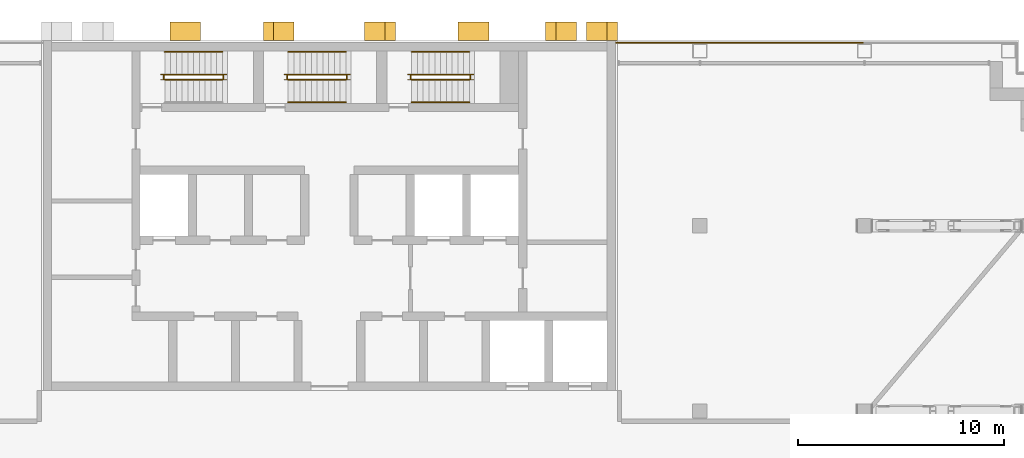
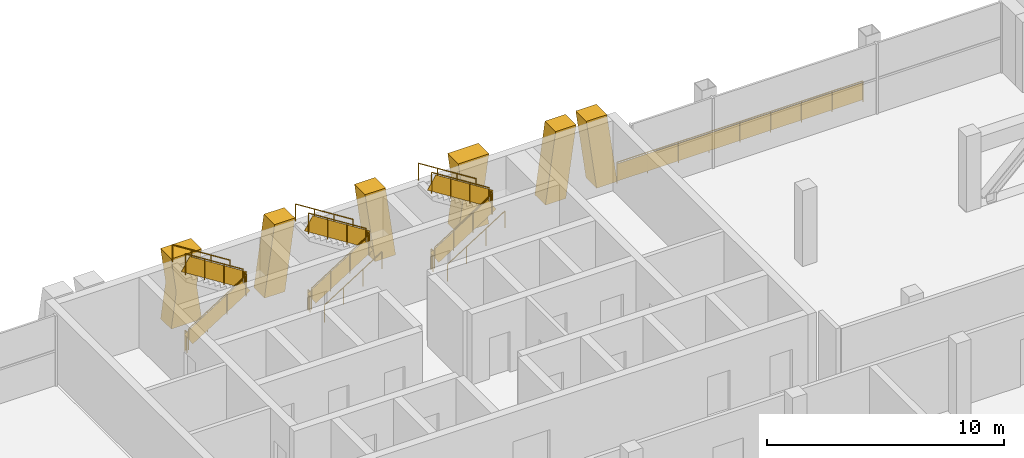
# One storey, part 20 of 21: 18 railings, 6 shading devices.
"""IFC4 building model written with IfcOpenShell, lengths in metres."""

from ifc_helpers import new_model, si_unit, direction, frame, origin, origin_2d, place, context, subcontext, project, spatial, polyline, rectangle, circle, outline, extrude, material, layer, layer_set, type_object, element, save


model = new_model("IFC4")

# Units and contexts
model_context = context("Model", 3, precision=1e-05, world=origin(), true_north=direction((0.0, 1.0)))
body_context = subcontext(model_context, "Body", "Model", "MODEL_VIEW")
ifc_project = project(units=[si_unit("LENGTHUNIT", "METRE"), si_unit("AREAUNIT", "SQUARE_METRE"), si_unit("VOLUMEUNIT", "CUBIC_METRE"), si_unit("PLANEANGLEUNIT", "RADIAN"), si_unit("MASSUNIT", "GRAM", prefix="KILO")], contexts=[model_context])

# Site, building, storey
site_placement = place(None, origin())
site = spatial("IfcSite", under=ifc_project, at=site_placement, CompositionType="ELEMENT")
building_placement = place(site_placement, origin())
building = spatial("IfcBuilding", under=site, at=building_placement, Name="Vidyagriha Tower", CompositionType="ELEMENT")
storey_placement = place(building_placement, frame((0.0, 0.0, 161.39990234375)))
storey = spatial("IfcBuildingStorey", under=building, at=storey_placement, Name="L41", CompositionType="ELEMENT", Elevation=161.39990234375)

# Shading devices
ifc_material_1 = material(Name="Precast concrete C40/50 with brick facing", Category="concrete")
ifc_layer_1 = layer(ifc_material_1, 1.0)
ifc_layer_set_1 = layer_set([ifc_layer_1], Name="Precast concrete C40/50 with brick facing")
shading_device_type_1 = type_object("IfcShadingDeviceType", Name="Brick-faced rear rib arm leaning 8 degrees", PredefinedType="USERDEFINED", material=ifc_layer_set_1)
shading_device_1_placement = place(storey_placement, frame((14.0, 20.449951171875, 0.0), z_axis=(0.0, 0.0, 1.0), x_axis=(-1.0, 0.0, 0.0)))
element("IfcShadingDevice", 1, at=shading_device_1_placement, inside=storey, type_object=shading_device_type_1, Name="Rear rib arm L41 R08.1a", ObjectType="BLADE FIN", PredefinedType="USERDEFINED", context=body_context, shape_type="SweptSolid", body=[
    extrude(outline(polyline([(0.0, 0.0), (1.0, 0.0), (1.5, 3.6201171875), (0.5, 3.6201171875), (0.0, 0.0)])), frame((0.0, 0.449951171875, 0.0), z_axis=(0.0, -1.0, 0.0), x_axis=(1.0, 0.0, 0.0)), (0.0, 0.0, 1.0), 0.89990234375),
])
shading_device_2_placement = place(storey_placement, frame((12.0, 20.449951171875, 0.0), z_axis=(0.0, 0.0, 1.0), x_axis=(-1.0, 0.0, 0.0)))
element("IfcShadingDevice", 2, at=shading_device_2_placement, inside=storey, type_object=shading_device_type_1, Name="Rear rib arm L41 R08.1b", ObjectType="BLADE FIN", PredefinedType="USERDEFINED", context=body_context, shape_type="SweptSolid", body=[
    extrude(outline(polyline([(0.5, 0.0), (1.5, 0.0), (1.0, 3.6201171875), (0.0, 3.6201171875), (0.5, 0.0)])), frame((0.0, 0.449951171875, 0.0), z_axis=(0.0, -1.0, 0.0), x_axis=(1.0, 0.0, 0.0)), (0.0, 0.0, 1.0), 0.89990234375),
])
shading_device_3_placement = place(storey_placement, frame((3.199951171875, 20.449951171875, 0.0), z_axis=(0.0, 0.0, 1.0), x_axis=(-1.0, 0.0, 0.0)))
element("IfcShadingDevice", 3, at=shading_device_3_placement, inside=storey, type_object=shading_device_type_1, Name="Rear rib arm L41 R08.3a", ObjectType="BLADE FIN", PredefinedType="USERDEFINED", context=body_context, shape_type="SweptSolid", body=[
    extrude(outline(polyline([(0.0, 0.0), (1.0, 0.0), (1.490966796875, 3.6201171875), (0.490966796875, 3.6201171875), (0.0, 0.0)])), frame((0.0, 0.449951171875, 0.0), z_axis=(0.0, -1.0, 0.0), x_axis=(1.0, 0.0, 0.0)), (0.0, 0.0, 1.0), 0.89990234375),
])
shading_device_4_placement = place(storey_placement, frame((-1.708984375, 20.449951171875, 0.0), z_axis=(0.0, 0.0, 1.0), x_axis=(-1.0, 0.0, 0.0)))
element("IfcShadingDevice", 4, at=shading_device_4_placement, inside=storey, type_object=shading_device_type_1, Name="Rear rib arm L41 R08.3b", ObjectType="BLADE FIN", PredefinedType="USERDEFINED", context=body_context, shape_type="SweptSolid", body=[
    extrude(outline(polyline([(0.490966796875, 0.0), (1.490966796875, 0.0), (1.0, 3.6201171875), (0.0, 3.6201171875), (0.490966796875, 0.0)])), frame((0.0, 0.449951171875, 0.0), z_axis=(0.0, -1.0, 0.0), x_axis=(1.0, 0.0, 0.0)), (0.0, 0.0, 1.0), 0.89990234375),
])
ifc_material_2 = material(Name="Precast concrete C40/50 with brick facing", Category="concrete")
ifc_layer_2 = layer(ifc_material_2, 1.0)
ifc_layer_set_2 = layer_set([ifc_layer_2], Name="Precast concrete C40/50 with brick facing")
shading_device_type_2 = type_object("IfcShadingDeviceType", Name="Brick-faced rear rib forking 8 degrees", PredefinedType="USERDEFINED", material=ifc_layer_set_2)
for number, where, z_axis, x_axis, name in (
    (5, (7.74560546875, 20.449951171875, 0.0), (0.0, 0.0, 1.0), (-1.0, 0.0, 0.0), "Rear rib fork L41 R08.2a"),
    (6, (-6.25439453125, 20.449951171875, 0.0), (0.0, 0.0, 1.0), (-1.0, 0.0, 0.0), "Rear rib fork L41 R08.4a"),
):
    element("IfcShadingDevice", number, at=place(storey_placement, frame(where, z_axis=z_axis, x_axis=x_axis)), inside=storey, type_object=shading_device_type_2, Name=name, ObjectType="BLADE FIN", PredefinedType="USERDEFINED", context=body_context, shape_type="SweptSolid", body=[
        extrude(outline(polyline([(0.0, 0.0), (1.490966796875, 0.0), (1.24560546875, 1.81005859375), (1.490966796875, 3.6201171875), (0.0, 3.6201171875), (0.24560546875, 1.81005859375), (0.0, 0.0)])), frame((0.0, 0.449951171875, 0.0), z_axis=(0.0, -1.0, 0.0), x_axis=(1.0, 0.0, 0.0)), (0.0, 0.0, 1.0), 0.89990234375),
    ])

# Railings
ifc_material_3 = material(Name="Steel ASTM A500 Grade C black painted", Category="steel")
railing_type_1 = type_object("IfcRailingType", Name="Gallery guard 1100", PredefinedType="GUARDRAIL", material=ifc_material_3)
railing_1_placement = place(storey_placement, frame((13.929931640625, 19.89990234375, 0.0)))
element("IfcRailing", 7, at=railing_1_placement, inside=storey, type_object=railing_type_1, Name="Gallery guard L41 1", PredefinedType="GUARDRAIL", context=body_context, shape_type="SweptSolid", body=[
    extrude(circle(Radius=0.02490234375, at=origin_2d()), frame((0.0, 0.0, 1.0751953125), z_axis=(1.0, 0.0, 0.0), x_axis=(0.0, 1.0, 0.0)), (0.0, 0.0, 1.0), 12.0),
    extrude(circle(Radius=0.02001953125, at=origin_2d()), origin(), (0.0, 0.0, 1.0), 1.050048828125),
    extrude(circle(Radius=0.02001953125, at=origin_2d()), frame((1.5, 0.0, 0.0)), (0.0, 0.0, 1.0), 1.050048828125),
    extrude(circle(Radius=0.02001953125, at=origin_2d()), frame((3.0, 0.0, 0.0)), (0.0, 0.0, 1.0), 1.050048828125),
    extrude(circle(Radius=0.02001953125, at=origin_2d()), frame((4.5, 0.0, 0.0)), (0.0, 0.0, 1.0), 1.050048828125),
    extrude(circle(Radius=0.02001953125, at=origin_2d()), frame((6.0, 0.0, 0.0)), (0.0, 0.0, 1.0), 1.050048828125),
    extrude(circle(Radius=0.02001953125, at=origin_2d()), frame((7.5, 0.0, 0.0)), (0.0, 0.0, 1.0), 1.050048828125),
    extrude(circle(Radius=0.02001953125, at=origin_2d()), frame((9.0, 0.0, 0.0)), (0.0, 0.0, 1.0), 1.050048828125),
    extrude(circle(Radius=0.02001953125, at=origin_2d()), frame((10.5, 0.0, 0.0)), (0.0, 0.0, 1.0), 1.050048828125),
    extrude(circle(Radius=0.02001953125, at=origin_2d()), frame((12.0, 0.0, 0.0)), (0.0, 0.0, 1.0), 1.050048828125),
    extrude(rectangle(XDim=0.010009765625, YDim=0.900146484375, at=origin_2d()), frame((0.0, 0.0, 0.550048828125), z_axis=(1.0, 0.0, 0.0), x_axis=(0.0, 1.0, 0.0)), (0.0, 0.0, 1.0), 12.0),
])
ifc_material_4 = material(Name="Steel ASTM A500 Grade C", Category="steel")
railing_type_2 = type_object("IfcRailingType", Name="Stair guard 1100 mm, steel balustrade", PredefinedType="GUARDRAIL", material=ifc_material_4)
railing_2_placement = place(storey_placement, frame((-8.0, 18.10009765625, 0.177490234375)))
element("IfcRailing", 8, at=railing_2_placement, inside=storey, type_object=railing_type_2, Name="L41 ST1 stair guard 1", PredefinedType="GUARDRAIL", context=body_context, shape_type="SweptSolid", body=[
    extrude(circle(Radius=0.02392578125, at=origin_2d()), frame((0.0, 0.0, 1.076171875), z_axis=(0.844908973607, 0.0, 0.534910110503), x_axis=(0.0, 1.0, 0.0)), (0.0, 0.0, 1.0), 3.31396484375),
    extrude(circle(Radius=0.02099609375, at=origin_2d()), origin(), (0.0, 0.0, 1.0), 1.052001953125),
    extrude(circle(Radius=0.02099609375, at=origin_2d()), frame((0.933349609375, 0.0, 0.5908203125)), (0.0, 0.0, 1.0), 1.052001953125),
    extrude(circle(Radius=0.02099609375, at=origin_2d()), frame((1.86669921875, 0.0, 1.181884765625)), (0.0, 0.0, 1.0), 1.052001953125),
    extrude(circle(Radius=0.02099609375, at=origin_2d()), frame((2.800048828125, 0.0, 1.772705078125)), (0.0, 0.0, 1.0), 1.052001953125),
    extrude(rectangle(XDim=0.010009765625, YDim=0.76220703125, at=origin_2d()), frame((0.0, 0.0, 0.551025390625), z_axis=(0.844908973607, 0.0, 0.534910110503), x_axis=(0.0, 1.0, 0.0)), (0.0, 0.0, 1.0), 3.31396484375),
])
railing_3_placement = place(storey_placement, frame((-5.14990234375, 18.14990234375, 1.9501953125)))
element("IfcRailing", 9, at=railing_3_placement, inside=storey, type_object=railing_type_2, Name="L41 ST1 stair guard 2", PredefinedType="GUARDRAIL", context=body_context, shape_type="SweptSolid", body=[
    extrude(circle(Radius=0.02392578125, at=origin_2d()), frame((0.0, 0.0, 1.076171875), z_axis=(0.0, 1.0, 0.0), x_axis=(-1.0, 0.0, 0.0)), (0.0, 0.0, 1.0), 0.150146484375),
    extrude(circle(Radius=0.02099609375, at=origin_2d()), origin(), (0.0, 0.0, 1.0), 1.052001953125),
    extrude(circle(Radius=0.02099609375, at=origin_2d()), frame((0.0, 0.150146484375, 0.0)), (0.0, 0.0, 1.0), 1.052001953125),
    extrude(rectangle(XDim=0.010009765625, YDim=0.902099609375, at=origin_2d()), frame((0.0, 0.0, 0.551025390625), z_axis=(0.0, 1.0, 0.0), x_axis=(-1.0, 0.0, 0.0)), (0.0, 0.0, 1.0), 0.150146484375),
])
railing_4_placement = place(storey_placement, frame((-5.199951171875, 18.35009765625, 2.12744140625)))
element("IfcRailing", 10, at=railing_4_placement, inside=storey, type_object=railing_type_2, Name="L41 ST1 stair guard 3", PredefinedType="GUARDRAIL", context=body_context, shape_type="SweptSolid", body=[
    extrude(circle(Radius=0.02392578125, at=origin_2d()), frame((0.0, 0.0, 1.076171875), z_axis=(-0.844908973607, 0.0, 0.534910110503), x_axis=(0.0, -1.0, 0.0)), (0.0, 0.0, 1.0), 3.31396484375),
    extrude(circle(Radius=0.02099609375, at=origin_2d()), origin(), (0.0, 0.0, 1.0), 1.052001953125),
    extrude(circle(Radius=0.02099609375, at=origin_2d()), frame((-0.933349609375, 0.0, 0.5908203125)), (0.0, 0.0, 1.0), 1.052001953125),
    extrude(circle(Radius=0.02099609375, at=origin_2d()), frame((-1.86669921875, 0.0, 1.181884765625)), (0.0, 0.0, 1.0), 1.052001953125),
    extrude(circle(Radius=0.02099609375, at=origin_2d()), frame((-2.800048828125, 0.0, 1.772705078125)), (0.0, 0.0, 1.0), 1.052001953125),
    extrude(rectangle(XDim=0.010009765625, YDim=0.76220703125, at=origin_2d()), frame((0.0, 0.0, 0.551025390625), z_axis=(-0.844908973607, 0.0, 0.534910110503), x_axis=(0.0, -1.0, 0.0)), (0.0, 0.0, 1.0), 3.31396484375),
])
railing_5_placement = place(storey_placement, frame((-8.050048828125, 18.14990234375, 0.0)))
element("IfcRailing", 11, at=railing_5_placement, inside=storey, type_object=railing_type_2, Name="L41 ST1 stair guard 4", PredefinedType="GUARDRAIL", context=body_context, shape_type="SweptSolid", body=[
    extrude(circle(Radius=0.02392578125, at=origin_2d()), frame((0.0, 0.0, 1.076171875), z_axis=(0.0, 1.0, 0.0), x_axis=(-1.0, 0.0, 0.0)), (0.0, 0.0, 1.0), 0.150146484375),
    extrude(circle(Radius=0.02099609375, at=origin_2d()), origin(), (0.0, 0.0, 1.0), 1.052001953125),
    extrude(circle(Radius=0.02099609375, at=origin_2d()), frame((0.0, 0.150146484375, 0.0)), (0.0, 0.0, 1.0), 1.052001953125),
    extrude(rectangle(XDim=0.010009765625, YDim=0.902099609375, at=origin_2d()), frame((0.0, 0.0, 0.551025390625), z_axis=(0.0, 1.0, 0.0), x_axis=(-1.0, 0.0, 0.0)), (0.0, 0.0, 1.0), 0.150146484375),
])
railing_6_placement = place(storey_placement, frame((-2.0, 18.10009765625, 0.177490234375)))
element("IfcRailing", 12, at=railing_6_placement, inside=storey, type_object=railing_type_2, Name="L41 ST2 stair guard 1", PredefinedType="GUARDRAIL", context=body_context, shape_type="SweptSolid", body=[
    extrude(circle(Radius=0.02392578125, at=origin_2d()), frame((0.0, 0.0, 1.076171875), z_axis=(0.844908973607, 0.0, 0.534910110503), x_axis=(0.0, 1.0, 0.0)), (0.0, 0.0, 1.0), 3.31396484375),
    extrude(circle(Radius=0.02099609375, at=origin_2d()), origin(), (0.0, 0.0, 1.0), 1.052001953125),
    extrude(circle(Radius=0.02099609375, at=origin_2d()), frame((0.933349609375, 0.0, 0.5908203125)), (0.0, 0.0, 1.0), 1.052001953125),
    extrude(circle(Radius=0.02099609375, at=origin_2d()), frame((1.86669921875, 0.0, 1.181884765625)), (0.0, 0.0, 1.0), 1.052001953125),
    extrude(circle(Radius=0.02099609375, at=origin_2d()), frame((2.800048828125, 0.0, 1.772705078125)), (0.0, 0.0, 1.0), 1.052001953125),
    extrude(rectangle(XDim=0.010009765625, YDim=0.76220703125, at=origin_2d()), frame((0.0, 0.0, 0.551025390625), z_axis=(0.844908973607, 0.0, 0.534910110503), x_axis=(0.0, 1.0, 0.0)), (0.0, 0.0, 1.0), 3.31396484375),
])
railing_7_placement = place(storey_placement, frame((0.85009765625, 18.14990234375, 1.9501953125)))
element("IfcRailing", 13, at=railing_7_placement, inside=storey, type_object=railing_type_2, Name="L41 ST2 stair guard 2", PredefinedType="GUARDRAIL", context=body_context, shape_type="SweptSolid", body=[
    extrude(circle(Radius=0.02392578125, at=origin_2d()), frame((0.0, 0.0, 1.076171875), z_axis=(0.0, 1.0, 0.0), x_axis=(-1.0, 0.0, 0.0)), (0.0, 0.0, 1.0), 0.150146484375),
    extrude(circle(Radius=0.02099609375, at=origin_2d()), origin(), (0.0, 0.0, 1.0), 1.052001953125),
    extrude(circle(Radius=0.02099609375, at=origin_2d()), frame((0.0, 0.150146484375, 0.0)), (0.0, 0.0, 1.0), 1.052001953125),
    extrude(rectangle(XDim=0.010009765625, YDim=0.902099609375, at=origin_2d()), frame((0.0, 0.0, 0.551025390625), z_axis=(0.0, 1.0, 0.0), x_axis=(-1.0, 0.0, 0.0)), (0.0, 0.0, 1.0), 0.150146484375),
])
railing_8_placement = place(storey_placement, frame((0.800048828125, 18.35009765625, 2.12744140625)))
element("IfcRailing", 14, at=railing_8_placement, inside=storey, type_object=railing_type_2, Name="L41 ST2 stair guard 3", PredefinedType="GUARDRAIL", context=body_context, shape_type="SweptSolid", body=[
    extrude(circle(Radius=0.02392578125, at=origin_2d()), frame((0.0, 0.0, 1.076171875), z_axis=(-0.844908973607, 0.0, 0.534910110503), x_axis=(0.0, -1.0, 0.0)), (0.0, 0.0, 1.0), 3.31396484375),
    extrude(circle(Radius=0.02099609375, at=origin_2d()), origin(), (0.0, 0.0, 1.0), 1.052001953125),
    extrude(circle(Radius=0.02099609375, at=origin_2d()), frame((-0.933349609375, 0.0, 0.5908203125)), (0.0, 0.0, 1.0), 1.052001953125),
    extrude(circle(Radius=0.02099609375, at=origin_2d()), frame((-1.86669921875, 0.0, 1.181884765625)), (0.0, 0.0, 1.0), 1.052001953125),
    extrude(circle(Radius=0.02099609375, at=origin_2d()), frame((-2.800048828125, 0.0, 1.772705078125)), (0.0, 0.0, 1.0), 1.052001953125),
    extrude(rectangle(XDim=0.010009765625, YDim=0.76220703125, at=origin_2d()), frame((0.0, 0.0, 0.551025390625), z_axis=(-0.844908973607, 0.0, 0.534910110503), x_axis=(0.0, -1.0, 0.0)), (0.0, 0.0, 1.0), 3.31396484375),
])
railing_9_placement = place(storey_placement, frame((-2.050048828125, 18.14990234375, 0.0)))
element("IfcRailing", 15, at=railing_9_placement, inside=storey, type_object=railing_type_2, Name="L41 ST2 stair guard 4", PredefinedType="GUARDRAIL", context=body_context, shape_type="SweptSolid", body=[
    extrude(circle(Radius=0.02392578125, at=origin_2d()), frame((0.0, 0.0, 1.076171875), z_axis=(0.0, 1.0, 0.0), x_axis=(-1.0, 0.0, 0.0)), (0.0, 0.0, 1.0), 0.150146484375),
    extrude(circle(Radius=0.02099609375, at=origin_2d()), origin(), (0.0, 0.0, 1.0), 1.052001953125),
    extrude(circle(Radius=0.02099609375, at=origin_2d()), frame((0.0, 0.150146484375, 0.0)), (0.0, 0.0, 1.0), 1.052001953125),
    extrude(rectangle(XDim=0.010009765625, YDim=0.902099609375, at=origin_2d()), frame((0.0, 0.0, 0.551025390625), z_axis=(0.0, 1.0, 0.0), x_axis=(-1.0, 0.0, 0.0)), (0.0, 0.0, 1.0), 0.150146484375),
])
railing_10_placement = place(storey_placement, frame((4.0, 18.10009765625, 0.177490234375)))
element("IfcRailing", 16, at=railing_10_placement, inside=storey, type_object=railing_type_2, Name="L41 ST3 stair guard 1", PredefinedType="GUARDRAIL", context=body_context, shape_type="SweptSolid", body=[
    extrude(circle(Radius=0.02392578125, at=origin_2d()), frame((0.0, 0.0, 1.076171875), z_axis=(0.844908973607, 0.0, 0.534910110503), x_axis=(0.0, 1.0, 0.0)), (0.0, 0.0, 1.0), 3.31396484375),
    extrude(circle(Radius=0.02099609375, at=origin_2d()), origin(), (0.0, 0.0, 1.0), 1.052001953125),
    extrude(circle(Radius=0.02099609375, at=origin_2d()), frame((0.933349609375, 0.0, 0.5908203125)), (0.0, 0.0, 1.0), 1.052001953125),
    extrude(circle(Radius=0.02099609375, at=origin_2d()), frame((1.86669921875, 0.0, 1.181884765625)), (0.0, 0.0, 1.0), 1.052001953125),
    extrude(circle(Radius=0.02099609375, at=origin_2d()), frame((2.800048828125, 0.0, 1.772705078125)), (0.0, 0.0, 1.0), 1.052001953125),
    extrude(rectangle(XDim=0.010009765625, YDim=0.76220703125, at=origin_2d()), frame((0.0, 0.0, 0.551025390625), z_axis=(0.844908973607, 0.0, 0.534910110503), x_axis=(0.0, 1.0, 0.0)), (0.0, 0.0, 1.0), 3.31396484375),
])
railing_11_placement = place(storey_placement, frame((6.85009765625, 18.14990234375, 1.9501953125)))
element("IfcRailing", 17, at=railing_11_placement, inside=storey, type_object=railing_type_2, Name="L41 ST3 stair guard 2", PredefinedType="GUARDRAIL", context=body_context, shape_type="SweptSolid", body=[
    extrude(circle(Radius=0.02392578125, at=origin_2d()), frame((0.0, 0.0, 1.076171875), z_axis=(0.0, 1.0, 0.0), x_axis=(-1.0, 0.0, 0.0)), (0.0, 0.0, 1.0), 0.150146484375),
    extrude(circle(Radius=0.02099609375, at=origin_2d()), origin(), (0.0, 0.0, 1.0), 1.052001953125),
    extrude(circle(Radius=0.02099609375, at=origin_2d()), frame((0.0, 0.150146484375, 0.0)), (0.0, 0.0, 1.0), 1.052001953125),
    extrude(rectangle(XDim=0.010009765625, YDim=0.902099609375, at=origin_2d()), frame((0.0, 0.0, 0.551025390625), z_axis=(0.0, 1.0, 0.0), x_axis=(-1.0, 0.0, 0.0)), (0.0, 0.0, 1.0), 0.150146484375),
])
railing_12_placement = place(storey_placement, frame((6.800048828125, 18.35009765625, 2.12744140625)))
element("IfcRailing", 18, at=railing_12_placement, inside=storey, type_object=railing_type_2, Name="L41 ST3 stair guard 3", PredefinedType="GUARDRAIL", context=body_context, shape_type="SweptSolid", body=[
    extrude(circle(Radius=0.02392578125, at=origin_2d()), frame((0.0, 0.0, 1.076171875), z_axis=(-0.844908973607, 0.0, 0.534910110503), x_axis=(0.0, -1.0, 0.0)), (0.0, 0.0, 1.0), 3.31396484375),
    extrude(circle(Radius=0.02099609375, at=origin_2d()), origin(), (0.0, 0.0, 1.0), 1.052001953125),
    extrude(circle(Radius=0.02099609375, at=origin_2d()), frame((-0.933349609375, 0.0, 0.5908203125)), (0.0, 0.0, 1.0), 1.052001953125),
    extrude(circle(Radius=0.02099609375, at=origin_2d()), frame((-1.86669921875, 0.0, 1.181884765625)), (0.0, 0.0, 1.0), 1.052001953125),
    extrude(circle(Radius=0.02099609375, at=origin_2d()), frame((-2.800048828125, 0.0, 1.772705078125)), (0.0, 0.0, 1.0), 1.052001953125),
    extrude(rectangle(XDim=0.010009765625, YDim=0.76220703125, at=origin_2d()), frame((0.0, 0.0, 0.551025390625), z_axis=(-0.844908973607, 0.0, 0.534910110503), x_axis=(0.0, -1.0, 0.0)), (0.0, 0.0, 1.0), 3.31396484375),
])
railing_13_placement = place(storey_placement, frame((3.949951171875, 18.14990234375, 0.0)))
element("IfcRailing", 19, at=railing_13_placement, inside=storey, type_object=railing_type_2, Name="L41 ST3 stair guard 4", PredefinedType="GUARDRAIL", context=body_context, shape_type="SweptSolid", body=[
    extrude(circle(Radius=0.02392578125, at=origin_2d()), frame((0.0, 0.0, 1.076171875), z_axis=(0.0, 1.0, 0.0), x_axis=(-1.0, 0.0, 0.0)), (0.0, 0.0, 1.0), 0.150146484375),
    extrude(circle(Radius=0.02099609375, at=origin_2d()), origin(), (0.0, 0.0, 1.0), 1.052001953125),
    extrude(circle(Radius=0.02099609375, at=origin_2d()), frame((0.0, 0.150146484375, 0.0)), (0.0, 0.0, 1.0), 1.052001953125),
    extrude(rectangle(XDim=0.010009765625, YDim=0.902099609375, at=origin_2d()), frame((0.0, 0.0, 0.551025390625), z_axis=(0.0, 1.0, 0.0), x_axis=(-1.0, 0.0, 0.0)), (0.0, 0.0, 1.0), 0.150146484375),
])
ifc_material_5 = material(Name="Steel ASTM A500 Grade C", Category="steel")
railing_type_3 = type_object("IfcRailingType", Name="Stair handrail 900 mm, steel", PredefinedType="HANDRAIL", material=ifc_material_5)
railing_14_placement = place(storey_placement, frame((-5.199951171875, 19.449951171875, 2.12744140625)))
element("IfcRailing", 20, at=railing_14_placement, inside=storey, type_object=railing_type_3, Name="L41 ST1 stair handrail 2", PredefinedType="HANDRAIL", context=body_context, shape_type="SweptSolid", body=[
    extrude(circle(Radius=0.02392578125, at=origin_2d()), frame((0.0, 0.0, 0.8759765625), z_axis=(-0.844908973607, 0.0, 0.534910110503), x_axis=(0.0, -1.0, 0.0)), (0.0, 0.0, 1.0), 3.31396484375),
    extrude(circle(Radius=0.02099609375, at=origin_2d()), origin(), (0.0, 0.0, 1.0), 0.851806640625),
    extrude(circle(Radius=0.02099609375, at=origin_2d()), frame((-0.933349609375, 0.0, 0.5908203125)), (0.0, 0.0, 1.0), 0.851806640625),
    extrude(circle(Radius=0.02099609375, at=origin_2d()), frame((-1.86669921875, 0.0, 1.181884765625)), (0.0, 0.0, 1.0), 0.851806640625),
    extrude(circle(Radius=0.02099609375, at=origin_2d()), frame((-2.800048828125, 0.0, 1.772705078125)), (0.0, 0.0, 1.0), 0.851806640625),
])
railing_15_placement = place(storey_placement, frame((-2.0, 17.0, 0.177490234375)))
element("IfcRailing", 21, at=railing_15_placement, inside=storey, type_object=railing_type_3, Name="L41 ST2 stair handrail 1", PredefinedType="HANDRAIL", context=body_context, shape_type="SweptSolid", body=[
    extrude(circle(Radius=0.02392578125, at=origin_2d()), frame((0.0, 0.0, 0.8759765625), z_axis=(0.844908973607, 0.0, 0.534910110503), x_axis=(0.0, 1.0, 0.0)), (0.0, 0.0, 1.0), 3.31396484375),
    extrude(circle(Radius=0.02099609375, at=origin_2d()), origin(), (0.0, 0.0, 1.0), 0.851806640625),
    extrude(circle(Radius=0.02099609375, at=origin_2d()), frame((0.933349609375, 0.0, 0.5908203125)), (0.0, 0.0, 1.0), 0.851806640625),
    extrude(circle(Radius=0.02099609375, at=origin_2d()), frame((1.86669921875, 0.0, 1.181884765625)), (0.0, 0.0, 1.0), 0.851806640625),
    extrude(circle(Radius=0.02099609375, at=origin_2d()), frame((2.800048828125, 0.0, 1.772705078125)), (0.0, 0.0, 1.0), 0.851806640625),
])
railing_16_placement = place(storey_placement, frame((0.800048828125, 19.449951171875, 2.12744140625)))
element("IfcRailing", 22, at=railing_16_placement, inside=storey, type_object=railing_type_3, Name="L41 ST2 stair handrail 2", PredefinedType="HANDRAIL", context=body_context, shape_type="SweptSolid", body=[
    extrude(circle(Radius=0.02392578125, at=origin_2d()), frame((0.0, 0.0, 0.8759765625), z_axis=(-0.844908973607, 0.0, 0.534910110503), x_axis=(0.0, -1.0, 0.0)), (0.0, 0.0, 1.0), 3.31396484375),
    extrude(circle(Radius=0.02099609375, at=origin_2d()), origin(), (0.0, 0.0, 1.0), 0.851806640625),
    extrude(circle(Radius=0.02099609375, at=origin_2d()), frame((-0.933349609375, 0.0, 0.5908203125)), (0.0, 0.0, 1.0), 0.851806640625),
    extrude(circle(Radius=0.02099609375, at=origin_2d()), frame((-1.86669921875, 0.0, 1.181884765625)), (0.0, 0.0, 1.0), 0.851806640625),
    extrude(circle(Radius=0.02099609375, at=origin_2d()), frame((-2.800048828125, 0.0, 1.772705078125)), (0.0, 0.0, 1.0), 0.851806640625),
])
railing_17_placement = place(storey_placement, frame((4.0, 17.0, 0.177490234375)))
element("IfcRailing", 23, at=railing_17_placement, inside=storey, type_object=railing_type_3, Name="L41 ST3 stair handrail 1", PredefinedType="HANDRAIL", context=body_context, shape_type="SweptSolid", body=[
    extrude(circle(Radius=0.02392578125, at=origin_2d()), frame((0.0, 0.0, 0.8759765625), z_axis=(0.844908973607, 0.0, 0.534910110503), x_axis=(0.0, 1.0, 0.0)), (0.0, 0.0, 1.0), 3.31396484375),
    extrude(circle(Radius=0.02099609375, at=origin_2d()), origin(), (0.0, 0.0, 1.0), 0.851806640625),
    extrude(circle(Radius=0.02099609375, at=origin_2d()), frame((0.933349609375, 0.0, 0.5908203125)), (0.0, 0.0, 1.0), 0.851806640625),
    extrude(circle(Radius=0.02099609375, at=origin_2d()), frame((1.86669921875, 0.0, 1.181884765625)), (0.0, 0.0, 1.0), 0.851806640625),
    extrude(circle(Radius=0.02099609375, at=origin_2d()), frame((2.800048828125, 0.0, 1.772705078125)), (0.0, 0.0, 1.0), 0.851806640625),
])
railing_18_placement = place(storey_placement, frame((6.800048828125, 19.449951171875, 2.12744140625)))
element("IfcRailing", 24, at=railing_18_placement, inside=storey, type_object=railing_type_3, Name="L41 ST3 stair handrail 2", PredefinedType="HANDRAIL", context=body_context, shape_type="SweptSolid", body=[
    extrude(circle(Radius=0.02392578125, at=origin_2d()), frame((0.0, 0.0, 0.8759765625), z_axis=(-0.844908973607, 0.0, 0.534910110503), x_axis=(0.0, -1.0, 0.0)), (0.0, 0.0, 1.0), 3.31396484375),
    extrude(circle(Radius=0.02099609375, at=origin_2d()), origin(), (0.0, 0.0, 1.0), 0.851806640625),
    extrude(circle(Radius=0.02099609375, at=origin_2d()), frame((-0.933349609375, 0.0, 0.5908203125)), (0.0, 0.0, 1.0), 0.851806640625),
    extrude(circle(Radius=0.02099609375, at=origin_2d()), frame((-1.86669921875, 0.0, 1.181884765625)), (0.0, 0.0, 1.0), 0.851806640625),
    extrude(circle(Radius=0.02099609375, at=origin_2d()), frame((-2.800048828125, 0.0, 1.772705078125)), (0.0, 0.0, 1.0), 0.851806640625),
])

save(model, "model.ifc")
